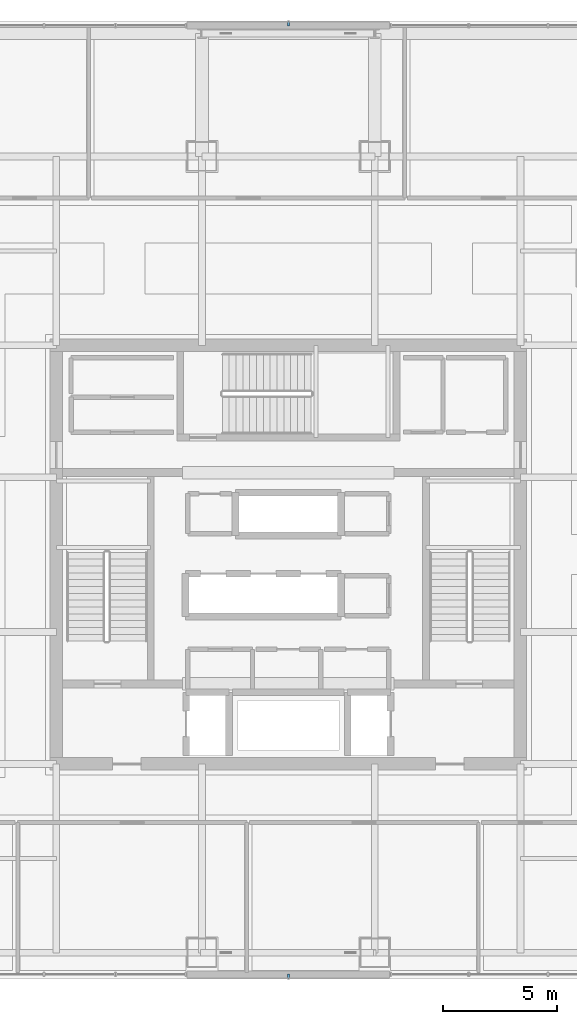
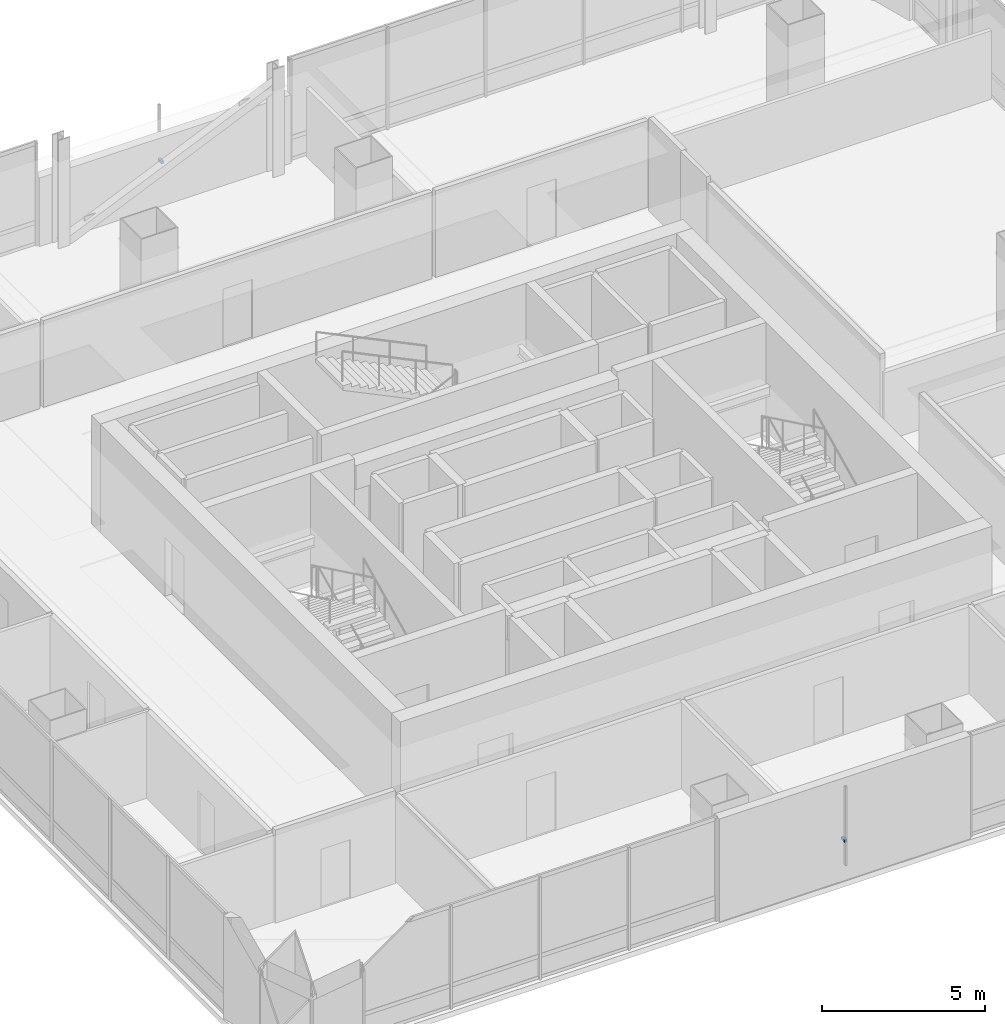
# One storey, part 35 of 44: 2 discrete accessories.
"""IFC4 building model written with IfcOpenShell, lengths in metres."""

import ifcopenshell
import ifcopenshell.guid

model = None  # the IFC model being written
_history = None  # IfcOwnerHistory: only IFC2X3 demands one
_inside = {}  # id of a spatial element -> (the spatial element, [elements in it])
_under = {}  # id of a project, library or spatial element -> (it, [spatial elements below it])
_declared = {}  # id of a project -> (the project, [libraries it declares])
_typed = {}  # id of a type object -> (the type object, [elements of that type])
_made_of = {}  # id of a material, layer set ... -> (it, [elements and type objects made of it])


def new_model(schema):
    """Start an empty IFC model of exactly this schema.

    Asked for "IFC4X3", IfcOpenShell would pick the latest addendum, in which some entities
    have other attributes; the version numbers below select the first issue.
    IFC2X3 requires an IfcOwnerHistory on every rooted entity: one is made here for all.
    """
    global model, _history
    if schema == "IFC4X3":
        model = ifcopenshell.file(schema_version=(4, 3, 0, 0))
    else:
        model = ifcopenshell.file(schema=schema)
    _inside.clear()
    _under.clear()
    _declared.clear()
    _typed.clear()
    _made_of.clear()
    _history = None
    if model.schema == "IFC2X3":
        org = make("IfcOrganization", Name="unknown")
        user = make(
            "IfcPersonAndOrganization",
            ThePerson=make("IfcPerson", FamilyName="unknown"),
            TheOrganization=org,
        )
        app = make(
            "IfcApplication",
            ApplicationDeveloper=org,
            Version="unknown",
            ApplicationFullName="unknown",
            ApplicationIdentifier="unknown",
        )
        _history = make(
            "IfcOwnerHistory",
            OwningUser=user,
            OwningApplication=app,
            ChangeAction="ADDED",
            CreationDate=0,
        )
    return model


def make(cls, **values):
    """One entity of the class cls with the attributes given. An attribute that is None is left unset."""
    return model.create_entity(
        cls, **{name: value for name, value in values.items() if value is not None}
    )


def rooted(cls, **values):
    """An entity with a GlobalId (a new one), such as an element, a storey or a relation."""
    return make(cls, GlobalId=ifcopenshell.guid.new(), OwnerHistory=_history, **values)


def si_unit(unit_type, name, prefix=None):
    """IfcSIUnit, for example si_unit("LENGTHUNIT", "METRE", prefix="MILLI")."""
    return make("IfcSIUnit", UnitType=unit_type, Prefix=prefix, Name=name)


def assignment(units):
    """IfcUnitAssignment: the units of a project."""
    return None if units is None else make("IfcUnitAssignment", Units=units)


def point(xyz):
    """IfcCartesianPoint."""
    return None if xyz is None else make("IfcCartesianPoint", Coordinates=xyz)


def direction(xyz):
    """IfcDirection."""
    return None if xyz is None else make("IfcDirection", DirectionRatios=xyz)


def frame(location, z_axis=None, x_axis=None):
    """IfcAxis2Placement3D, a coordinate frame: its origin and axes. An axis left out is left unset."""
    return make(
        "IfcAxis2Placement3D",
        Location=point(location),
        Axis=direction(z_axis),
        RefDirection=direction(x_axis),
    )


def frame_2d(location, x_axis=None):
    """IfcAxis2Placement2D, a coordinate frame in the plane: its origin and x axis."""
    return make(
        "IfcAxis2Placement2D", Location=point(location), RefDirection=direction(x_axis)
    )


def origin():
    """The frame at (0, 0, 0) with its axes left unset."""
    return frame((0.0, 0.0, 0.0))


def origin_2d():
    """The frame at (0, 0) in the plane with its x axis left unset."""
    return frame_2d((0.0, 0.0))


def place(relative_to, where):
    """IfcLocalPlacement: puts the frame where relative to a parent placement (None: the world)."""
    return make(
        "IfcLocalPlacement", PlacementRelTo=relative_to, RelativePlacement=where
    )


def context(
    kind, dimensions, precision=None, world=None, true_north=None, identifier=None
):
    """IfcGeometricRepresentationContext, for example the 3D "Model" context."""
    return make(
        "IfcGeometricRepresentationContext",
        ContextIdentifier=identifier,
        ContextType=kind,
        CoordinateSpaceDimension=dimensions,
        Precision=precision,
        WorldCoordinateSystem=world,
        TrueNorth=true_north,
    )


def subcontext(parent, identifier, kind, view, scale=None):
    """IfcGeometricRepresentationSubContext, for example "Body" below "Model"."""
    return make(
        "IfcGeometricRepresentationSubContext",
        ContextIdentifier=identifier,
        ContextType=kind,
        ParentContext=parent,
        TargetScale=scale,
        TargetView=view,
    )


def project(units=None, contexts=None):
    """IfcProject with its units and contexts."""
    return rooted(
        "IfcProject",
        Name="project",
        RepresentationContexts=contexts,
        UnitsInContext=assignment(units),
    )


def spatial(cls, under=None, at=None, **own):
    """A site, building, storey or space (cls), placed at a placement, below another one or the project."""
    s = rooted(cls, ObjectPlacement=at, **own)
    if under is not None:
        _under.setdefault(under.id(), (under, []))[1].append(s)
    return s


def profile(cls, at=None, kind="AREA", **sizes):
    """A parametric profile (cls). Its sizes go by their IFC names, for example OverallWidth=200.0."""
    return make(cls, ProfileType=kind, Position=at, **sizes)


def rectangle(**sizes):
    """IfcRectangleProfileDef."""
    return profile("IfcRectangleProfileDef", **sizes)


def extrude(swept, where, along, depth):
    """IfcExtrudedAreaSolid: the profile swept, set in the frame where, extruded along a direction by depth."""
    return make(
        "IfcExtrudedAreaSolid",
        SweptArea=swept,
        Position=where,
        ExtrudedDirection=direction(along),
        Depth=depth,
    )


def shape(context_of_items, identifier, shape_type, items):
    """IfcShapeRepresentation: the items that make up one representation, for example the "Body"."""
    return make(
        "IfcShapeRepresentation",
        ContextOfItems=context_of_items,
        RepresentationIdentifier=identifier,
        RepresentationType=shape_type,
        Items=items,
    )


def material(Name=None, Category=None):
    """IfcMaterial."""
    return make("IfcMaterial", Name=Name, Category=Category)


def made_of(thing, what):
    """Note that an element or type object is made of a material, layer set ...; save() writes the relation."""
    if what is not None:
        _made_of.setdefault(what.id(), (what, []))[1].append(thing)
    return thing


def type_object(cls, material=None, **own):
    """A type object (cls), such as IfcWallType, which elements share."""
    return made_of(rooted(cls, **own), material)


def element(
    cls,
    number,
    at=None,
    inside=None,
    cuts=None,
    type_object=None,
    material=None,
    context=None,
    identifier="Body",
    shape_type=None,
    held_by="IfcProductDefinitionShape",
    body=None,
    shapes=None,
    **own,
):
    """One element of the class cls, such as IfcWall. Its Tag is "e" and its number.

    at: its placement. inside: the storey or other place that contains it. cuts: it is an
    opening in that element (IfcRelVoidsElement). A single representation is given by context,
    identifier, shape_type and body (its items); several are given by shapes. held_by: the class
    of the entity that holds the representations. save() writes the other relations.
    """
    e = rooted(cls, Tag="e%d" % number, ObjectPlacement=at, **own)
    if body is not None:
        shapes = [shape(context, identifier, shape_type, body)]
    if shapes is not None:
        e.Representation = make(held_by, Representations=shapes)
    if inside is not None:
        _inside.setdefault(inside.id(), (inside, []))[1].append(e)
    if cuts is not None:
        rooted(
            "IfcRelVoidsElement", RelatingBuildingElement=cuts, RelatedOpeningElement=e
        )
    if type_object is not None:
        _typed.setdefault(type_object.id(), (type_object, []))[1].append(e)
    return made_of(e, material)


def aggregate(whole, parts):
    """IfcRelAggregates: a whole, such as a stair, and the parts it consists of."""
    return rooted("IfcRelAggregates", RelatingObject=whole, RelatedObjects=parts)


def save(model, path):
    """Write the relations noted so far, then the file.

    IfcRelAggregates (storeys below a building ...), IfcRelContainedInSpatialStructure (elements
    in a storey), IfcRelDefinesByType, IfcRelAssociatesMaterial and IfcRelDeclares: one each for
    every whole, place, type object, material and project.
    """
    for whole, parts in _under.values():
        aggregate(whole, parts)
    for where, things in _inside.values():
        rooted(
            "IfcRelContainedInSpatialStructure",
            RelatedElements=things,
            RelatingStructure=where,
        )
    for kind, things in _typed.values():
        rooted("IfcRelDefinesByType", RelatedObjects=things, RelatingType=kind)
    for what, things in _made_of.values():
        rooted("IfcRelAssociatesMaterial", RelatedObjects=things, RelatingMaterial=what)
    for by, libraries in _declared.values():
        rooted("IfcRelDeclares", RelatingContext=by, RelatedDefinitions=libraries)
    model.write(path)


model = new_model("IFC4")

# Units and contexts
model_context = context("Model", 3, precision=1e-05, world=origin(), true_north=direction((0.0, 1.0)))
body_context = subcontext(model_context, "Body", "Model", "MODEL_VIEW")
ifc_project = project(units=[si_unit("LENGTHUNIT", "METRE"), si_unit("AREAUNIT", "SQUARE_METRE"), si_unit("VOLUMEUNIT", "CUBIC_METRE"), si_unit("PLANEANGLEUNIT", "RADIAN"), si_unit("MASSUNIT", "GRAM", prefix="KILO")], contexts=[model_context])

# Site, building, storey
site_placement = place(None, origin())
site = spatial("IfcSite", under=ifc_project, at=site_placement, CompositionType="ELEMENT")
building_placement = place(site_placement, origin())
building = spatial("IfcBuilding", under=site, at=building_placement, Name="Punatoya Terracotta Tower", CompositionType="ELEMENT")
storey_placement = place(building_placement, frame((0.0, 0.0, 267.60009765625)))
storey = spatial("IfcBuildingStorey", under=building, at=storey_placement, Name="L63", CompositionType="ELEMENT", Elevation=267.60009765625)

# Discrete accessories
ifc_material = material(Name="Steel S355", Category="steel")
discrete_accessory_type = type_object("IfcDiscreteAccessoryType", Name="ACC-BRK-220", PredefinedType="BRACKET", material=ifc_material)
for number, where, z_axis, x_axis, name in (
    (1, (0.0, -18.550048828125, 1.449951171875), (0.0, 0.0, 1.0), (1.0, 0.0, 0.0), "L63 Jali Fin Support Bracket S1"),
    (2, (0.0, 23.35009765625, 1.449951171875), (0.0, 0.0, 1.0), (-1.0, 0.0, 0.0), "L63 Jali Fin Support Bracket N1"),
):
    element("IfcDiscreteAccessory", number, at=place(storey_placement, frame(where, z_axis=z_axis, x_axis=x_axis)), inside=storey, type_object=discrete_accessory_type, Name=name, PredefinedType="BRACKET", context=body_context, shape_type="SweptSolid", body=[
        extrude(rectangle(XDim=0.090087890625, YDim=0.219970703125, at=origin_2d()), origin(), (0.0, 0.0, 1.0), 0.10009765625),
    ])

save(model, "model.ifc")
